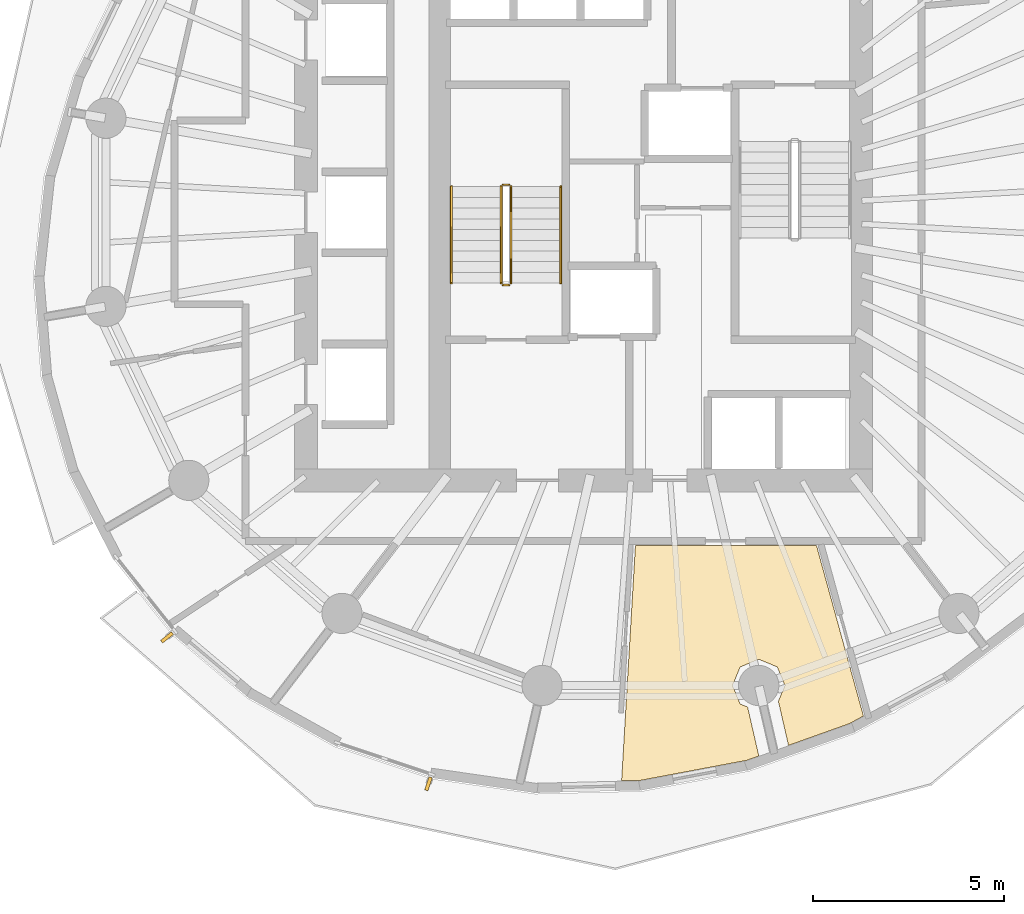
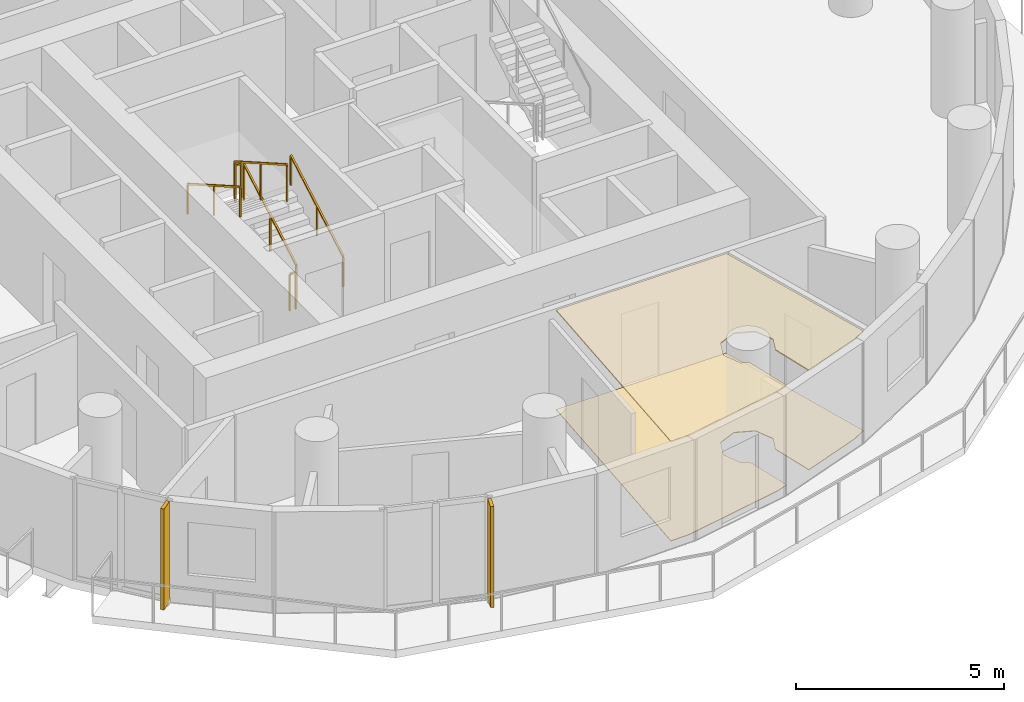
# One storey, part 8 of 12: 6 railings, 2 coverings, 2 shading devices.
"""IFC4 building model written with IfcOpenShell, lengths in metres."""

from ifc_helpers import new_model, si_unit, direction, frame, origin, origin_2d, place, context, subcontext, project, spatial, polyline, rectangle, outline, extrude, material, layer, layer_set, type_object, element, save


model = new_model("IFC4")

# Units and contexts
model_context = context("Model", 3, precision=1e-05, world=origin(), true_north=direction((0.0, 1.0)))
body_context = subcontext(model_context, "Body", "Model", "MODEL_VIEW")
ifc_project = project(units=[si_unit("LENGTHUNIT", "METRE"), si_unit("AREAUNIT", "SQUARE_METRE"), si_unit("VOLUMEUNIT", "CUBIC_METRE"), si_unit("PLANEANGLEUNIT", "RADIAN"), si_unit("MASSUNIT", "GRAM", prefix="KILO")], contexts=[model_context])

# Site, building, storey
site_placement = place(None, origin())
site = spatial("IfcSite", under=ifc_project, at=site_placement, CompositionType="ELEMENT")
building_placement = place(site_placement, origin())
building = spatial("IfcBuilding", under=site, at=building_placement, Name="Veldorim Arch Residences", CompositionType="ELEMENT")
storey_placement = place(building_placement, frame((0.0, 0.0, 132.9599609375)))
storey = spatial("IfcBuildingStorey", under=building, at=storey_placement, Name="L39", CompositionType="ELEMENT", Elevation=132.9599609375)

# Railings
ifc_material_1 = material(Name="Steel S355", Category="steel")
railing_type_1 = type_object("IfcRailingType", Name="Galvanised Steel Stair Safety Guardrail 1100", PredefinedType="GUARDRAIL", material=ifc_material_1)
railing_1_placement = place(storey_placement, frame((28.360107421875, 22.14990234375, 0.16015625)))
element("IfcRailing", 1, at=railing_1_placement, inside=storey, type_object=railing_type_1, Name="L39 ST-1 stair guard 1", PredefinedType="GUARDRAIL", context=body_context, shape_type="SweptSolid", body=[
    extrude(rectangle(XDim=0.048095703125, YDim=0.048095703125, at=origin_2d()), frame((0.0, 0.0, 1.076171875), z_axis=(0.0, 0.868253494771, 0.496120820787), x_axis=(-1.0, 0.0, 0.0)), (0.0, 0.0, 1.0), 2.90234375),
    extrude(rectangle(XDim=0.0419921875, YDim=0.0419921875, at=origin_2d()), origin(), (0.0, 0.0, 1.0), 1.052001953125),
    extrude(rectangle(XDim=0.0419921875, YDim=0.0419921875, at=origin_2d()), frame((0.0, 1.260009765625, 0.719970703125)), (0.0, 0.0, 1.0), 1.052001953125),
    extrude(rectangle(XDim=0.0419921875, YDim=0.0419921875, at=origin_2d()), frame((0.0, 2.52001953125, 1.43994140625)), (0.0, 0.0, 1.0), 1.052001953125),
])
railing_2_placement = place(storey_placement, frame((28.31005859375, 24.719970703125, 1.60009765625)))
element("IfcRailing", 2, at=railing_2_placement, inside=storey, type_object=railing_type_1, Name="L39 ST-1 stair guard 2", PredefinedType="GUARDRAIL", context=body_context, shape_type="SweptSolid", body=[
    extrude(rectangle(XDim=0.048095703125, YDim=0.048095703125, at=origin_2d()), frame((0.0, 0.0, 1.076171875), z_axis=(-1.0, 0.0, 0.0), x_axis=(0.0, -1.0, 0.0)), (0.0, 0.0, 1.0), 0.16015625),
    extrude(rectangle(XDim=0.0419921875, YDim=0.0419921875, at=origin_2d()), origin(), (0.0, 0.0, 1.0), 1.052001953125),
    extrude(rectangle(XDim=0.0419921875, YDim=0.0419921875, at=origin_2d()), frame((-0.16015625, 0.0, 0.0)), (0.0, 0.0, 1.0), 1.052001953125),
])
railing_3_placement = place(storey_placement, frame((28.10009765625, 24.669921875, 1.760009765625)))
element("IfcRailing", 3, at=railing_3_placement, inside=storey, type_object=railing_type_1, Name="L39 ST-1 stair guard 3", PredefinedType="GUARDRAIL", context=body_context, shape_type="SweptSolid", body=[
    extrude(rectangle(XDim=0.048095703125, YDim=0.048095703125, at=origin_2d()), frame((0.0, 0.0, 1.076171875), z_axis=(0.0, -0.868253494771, 0.496120820787), x_axis=(1.0, 0.0, 0.0)), (0.0, 0.0, 1.0), 2.90234375),
    extrude(rectangle(XDim=0.0419921875, YDim=0.0419921875, at=origin_2d()), origin(), (0.0, 0.0, 1.0), 1.052001953125),
    extrude(rectangle(XDim=0.0419921875, YDim=0.0419921875, at=origin_2d()), frame((0.0, -1.260009765625, 0.719970703125)), (0.0, 0.0, 1.0), 1.052001953125),
    extrude(rectangle(XDim=0.0419921875, YDim=0.0419921875, at=origin_2d()), frame((0.0, -2.52001953125, 1.43994140625)), (0.0, 0.0, 1.0), 1.052001953125),
])
railing_4_placement = place(storey_placement, frame((28.31005859375, 22.10009765625, 0.0)))
element("IfcRailing", 4, at=railing_4_placement, inside=storey, type_object=railing_type_1, Name="L39 ST-1 stair guard 4", PredefinedType="GUARDRAIL", context=body_context, shape_type="SweptSolid", body=[
    extrude(rectangle(XDim=0.048095703125, YDim=0.048095703125, at=origin_2d()), frame((0.0, 0.0, 1.076171875), z_axis=(-1.0, 0.0, 0.0), x_axis=(0.0, -1.0, 0.0)), (0.0, 0.0, 1.0), 0.16015625),
    extrude(rectangle(XDim=0.0419921875, YDim=0.0419921875, at=origin_2d()), origin(), (0.0, 0.0, 1.0), 1.052001953125),
    extrude(rectangle(XDim=0.0419921875, YDim=0.0419921875, at=origin_2d()), frame((-0.16015625, 0.0, 0.0)), (0.0, 0.0, 1.0), 1.052001953125),
])

# Coverings
ifc_material_2 = material(Name="Acoustic Gypsum & Mineral Fibre", Category="gypsum")
ifc_layer_1 = layer(ifc_material_2, 0.034912109375, Name="Perforated Acoustic Mineral-Fibre Ceiling 35")
ifc_layer_set_1 = layer_set([ifc_layer_1], Name="Acoustic Gypsum & Mineral Fibre")
covering_type_1 = type_object("IfcCoveringType", Name="Perforated Acoustic Mineral-Fibre Ceiling 35", PredefinedType="CEILING", material=ifc_layer_set_1)
covering_1_placement = place(storey_placement, frame((0.0, 0.0, 2.905029296875)))
element("IfcCovering", 5, at=covering_1_placement, inside=storey, type_object=covering_type_1, Name="L39 acoustic suspended ceiling 02", PredefinedType="CEILING", context=body_context, shape_type="SweptSolid", body=[
    extrude(outline(polyline([(35.513671875, 11.64208984375), (35.31298828125, 12.12646484375), (34.828857421875, 12.326904296875), (34.344482421875, 12.12646484375), (34.143798828125, 11.64208984375), (34.344482421875, 11.15771484375), (34.538818359375, 11.077392578125), (34.8310546875, 9.80078125), (34.51171875, 9.686767578125), (31.7548828125, 9.16650390625), (31.246826171875, 9.15380859375), (31.6083984375, 15.300048828125), (36.3369140625, 15.300048828125), (37.563232421875, 10.844482421875), (37.19287109375, 10.64404296875), (35.606201171875, 10.07763671875), (35.342529296875, 11.229248046875), (35.513671875, 11.64208984375)])), origin(), (0.0, 0.0, 1.0), 0.034912109375),
])
ifc_material_3 = material(Name="Porcelain Ceramic Tile", Category="ceramic")
ifc_layer_2 = layer(ifc_material_3, 0.02001953125, Name="Slip-Resistant Porcelain & Vinyl Floor Finish 20")
ifc_layer_set_2 = layer_set([ifc_layer_2], Name="Porcelain Ceramic Tile")
covering_type_2 = type_object("IfcCoveringType", Name="Slip-Resistant Porcelain & Vinyl Floor Finish 20", PredefinedType="FLOORING", material=ifc_layer_set_2)
covering_2_placement = place(storey_placement, origin())
element("IfcCovering", 6, at=covering_2_placement, inside=storey, type_object=covering_type_2, Name="L39 porcelain floor finish 02", PredefinedType="FLOORING", context=body_context, shape_type="SweptSolid", body=[
    extrude(outline(polyline([(35.513671875, 11.64208984375), (35.31298828125, 12.12646484375), (34.828857421875, 12.326904296875), (34.344482421875, 12.12646484375), (34.143798828125, 11.64208984375), (34.344482421875, 11.15771484375), (34.538818359375, 11.077392578125), (34.8310546875, 9.80078125), (34.51171875, 9.686767578125), (31.7548828125, 9.16650390625), (31.246826171875, 9.15380859375), (31.6083984375, 15.300048828125), (36.3369140625, 15.300048828125), (37.563232421875, 10.844482421875), (37.19287109375, 10.64404296875), (35.606201171875, 10.07763671875), (35.342529296875, 11.229248046875), (35.513671875, 11.64208984375)])), origin(), (0.0, 0.0, 1.0), 0.02001953125),
])

# Railings
ifc_material_4 = material(Name="Stainless Steel", Category="steel")
railing_type_2 = type_object("IfcRailingType", Name="Tubular Steel Continuous Wall Handrail 900", PredefinedType="HANDRAIL", material=ifc_material_4)
railing_5_placement = place(storey_placement, frame((29.659912109375, 22.14990234375, 0.16015625)))
element("IfcRailing", 7, at=railing_5_placement, inside=storey, type_object=railing_type_2, Name="L39 ST-1 stair handrail 1", PredefinedType="HANDRAIL", context=body_context, shape_type="SweptSolid", body=[
    extrude(rectangle(XDim=0.048095703125, YDim=0.048095703125, at=origin_2d()), frame((0.0, 0.0, 0.8759765625), z_axis=(0.0, 0.868253494771, 0.496120820787), x_axis=(-1.0, 0.0, 0.0)), (0.0, 0.0, 1.0), 2.90234375),
    extrude(rectangle(XDim=0.0419921875, YDim=0.0419921875, at=origin_2d()), origin(), (0.0, 0.0, 1.0), 0.851806640625),
    extrude(rectangle(XDim=0.0419921875, YDim=0.0419921875, at=origin_2d()), frame((0.0, 1.260009765625, 0.719970703125)), (0.0, 0.0, 1.0), 0.851806640625),
    extrude(rectangle(XDim=0.0419921875, YDim=0.0419921875, at=origin_2d()), frame((0.0, 2.52001953125, 1.43994140625)), (0.0, 0.0, 1.0), 0.851806640625),
])
railing_6_placement = place(storey_placement, frame((26.800048828125, 24.669921875, 1.760009765625)))
element("IfcRailing", 8, at=railing_6_placement, inside=storey, type_object=railing_type_2, Name="L39 ST-1 stair handrail 2", PredefinedType="HANDRAIL", context=body_context, shape_type="SweptSolid", body=[
    extrude(rectangle(XDim=0.048095703125, YDim=0.048095703125, at=origin_2d()), frame((0.0, 0.0, 0.8759765625), z_axis=(0.0, -0.868253494771, 0.496120820787), x_axis=(1.0, 0.0, 0.0)), (0.0, 0.0, 1.0), 2.90234375),
    extrude(rectangle(XDim=0.0419921875, YDim=0.0419921875, at=origin_2d()), origin(), (0.0, 0.0, 1.0), 0.851806640625),
    extrude(rectangle(XDim=0.0419921875, YDim=0.0419921875, at=origin_2d()), frame((0.0, -1.260009765625, 0.719970703125)), (0.0, 0.0, 1.0), 0.851806640625),
    extrude(rectangle(XDim=0.0419921875, YDim=0.0419921875, at=origin_2d()), frame((0.0, -2.52001953125, 1.43994140625)), (0.0, 0.0, 1.0), 0.851806640625),
])

# Shading devices
ifc_material_5 = material(Name="Terracotta Ceramic", Category="masonry")
ifc_layer_3 = layer(ifc_material_5, 0.090087890625, Name="Vertical Extruded Terracotta Baguette Sun-Shading Fin")
ifc_layer_set_3 = layer_set([ifc_layer_3], Name="Terracotta Ceramic")
shading_device_type = type_object("IfcShadingDeviceType", Name="Vertical Extruded Terracotta Baguette Sun-Shading Fin", PredefinedType="USERDEFINED", material=ifc_layer_set_3)
for number, where, z_axis, x_axis, name in (
    (9, (19.375, 12.898681640625, 0.0), (0.0, 0.0, 1.0), (-0.622514636638, 0.782608156852, 0.0), "L39 vertical terracotta sun-shading fin 19"),
    (10, (26.203857421875, 9.07373046875, 0.0), (0.0, 0.0, 1.0), (-0.948931088342, 0.315483422034, 0.0), "L39 vertical terracotta sun-shading fin 22"),
):
    element("IfcShadingDevice", number, at=place(storey_placement, frame(where, z_axis=z_axis, x_axis=x_axis)), inside=storey, type_object=shading_device_type, Name=name, ObjectType="FIN", PredefinedType="USERDEFINED", context=body_context, shape_type="SweptSolid", body=[
        extrude(rectangle(XDim=0.090087890625, YDim=0.360107421875, at=origin_2d()), origin(), (0.0, 0.0, 1.0), 2.9599609375),
    ])

save(model, "model.ifc")
